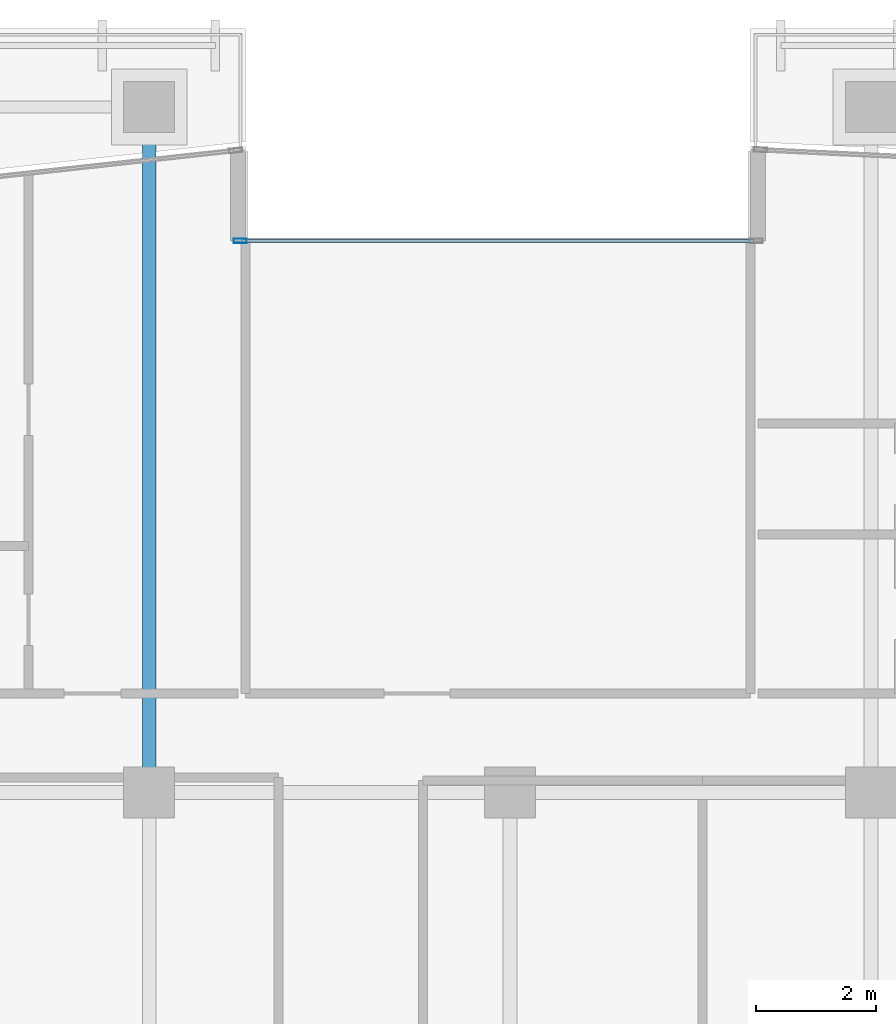
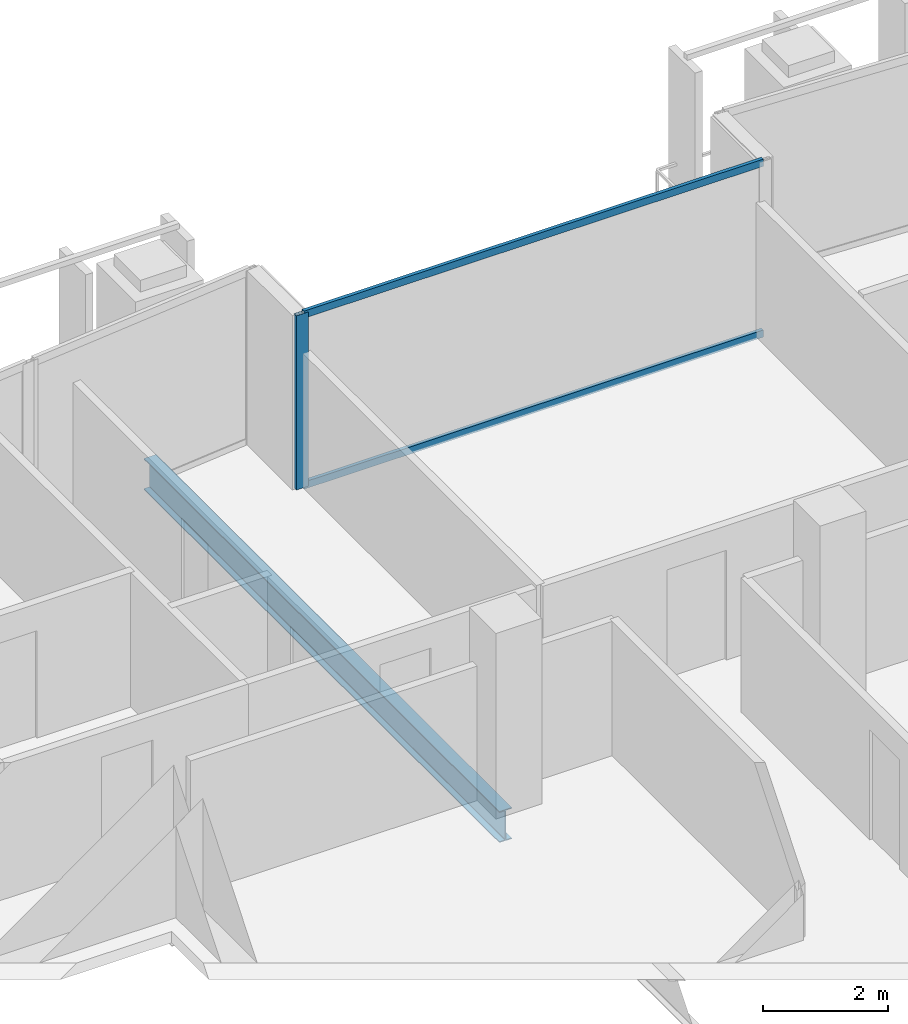
# One storey, part 9 of 28: 3 members, 1 beam, 1 element without a shape of its own.
"""IFC4 building model written with IfcOpenShell, lengths in metres."""

from ifc_helpers import new_model, si_unit, direction, frame, origin, origin_2d, place, context, subcontext, project, spatial, hollow_rectangle, i_section, extrude, material, layer, layer_set, material_profile, profile_set, type_object, element, aggregate, save


model = new_model("IFC4")

# Units and contexts
model_context = context("Model", 3, precision=1e-05, world=origin(), true_north=direction((0.0, 1.0)))
body_context = subcontext(model_context, "Body", "Model", "MODEL_VIEW")
ifc_project = project(units=[si_unit("LENGTHUNIT", "METRE"), si_unit("AREAUNIT", "SQUARE_METRE"), si_unit("VOLUMEUNIT", "CUBIC_METRE"), si_unit("PLANEANGLEUNIT", "RADIAN"), si_unit("MASSUNIT", "GRAM", prefix="KILO")], contexts=[model_context])

# Site, building, storey
site_placement = place(None, origin())
site = spatial("IfcSite", under=ifc_project, at=site_placement, CompositionType="ELEMENT")
building_placement = place(site_placement, origin())
building = spatial("IfcBuilding", under=site, at=building_placement, Name="Tanjung Sevakor Pilgrim Tower", CompositionType="ELEMENT")
storey_placement = place(building_placement, frame((0.0, 0.0, 158.39990234375)))
storey = spatial("IfcBuildingStorey", under=building, at=storey_placement, Name="L44", CompositionType="ELEMENT", Elevation=158.39990234375)

# Beam
ifc_material_1 = material(Name="Steel S355J2", Category="steel")
ifc_material_profile_1 = material_profile(ifc_material_1, i_section(OverallWidth=0.22900390625, OverallDepth=0.6123046875, WebThickness=0.011962890625, FlangeThickness=0.01953125, FilletRadius=0.0126953125, at=origin_2d()))
ifc_profile_set_1 = profile_set([ifc_material_profile_1], Name="Steel S355J2")
beam_type = type_object("IfcBeamType", Name="BM-B-G4-UB_610x229x125", PredefinedType="BEAM", material=ifc_profile_set_1)
beam_placement = place(storey_placement, frame((42.0, 42.60009765625, -0.526123046875), z_axis=(0.0, 1.0, 0.0), x_axis=(-1.0, 0.0, 0.0)))
element("IfcBeam", 1, at=beam_placement, inside=storey, type_object=beam_type, Name="L44 MAIN Girder 009", PredefinedType="BEAM", context=body_context, shape_type="SweptSolid", body=[
    extrude(i_section(OverallWidth=0.22900390625, OverallDepth=0.6123046875, WebThickness=0.011962890625, FlangeThickness=0.01953125, FilletRadius=0.0126953125, at=origin_2d()), origin(), (0.0, 0.0, 1.0), 11.39990234375),
])

# Curtain wall, members
ifc_material_2 = material(Name="Aluminium 6063-T6 and Low-E Glass", Category="aluminium")
ifc_layer = layer(ifc_material_2, 0.179931640625)
ifc_layer_set = layer_set([ifc_layer], Name="CW-SYS-CLEFT")
curtain_wall_type = type_object("IfcCurtainWallType", Name="CW-SYS-CLEFT", PredefinedType="NOTDEFINED", material=ifc_layer_set)
curtain_wall_placement = place(storey_placement, origin())
curtain_wall = element("IfcCurtainWall", 2, at=curtain_wall_placement, inside=storey, type_object=curtain_wall_type, Name="L44 Curtain Wall CW-CLF-L44-25", PredefinedType="NOTDEFINED")
ifc_material_3 = material(Name="Aluminium 6063-T6", Category="aluminium")
ifc_material_profile_2 = material_profile(ifc_material_3, hollow_rectangle(XDim=0.074951171875, YDim=0.219970703125, WallThickness=0.0048828125, at=origin_2d()))
ifc_profile_set_2 = profile_set([ifc_material_profile_2], Name="Aluminium 6063-T6")
member_type_1 = type_object("IfcMemberType", Name="TYPE-CWM-2", PredefinedType="MULLION", material=ifc_profile_set_2)
member_1_placement = place(storey_placement, frame((43.512451171875, 51.77490234375, 0.0), z_axis=(0.0, 0.0, 1.0), x_axis=(0.0, -1.0, 0.0)))
member_1 = element("IfcMember", 3, at=member_1_placement, type_object=member_type_1, Name="CW-CLF mullion 2", PredefinedType="MULLION", context=body_context, shape_type="SweptSolid", body=[
    extrude(hollow_rectangle(XDim=0.074951171875, YDim=0.219970703125, WallThickness=0.0048828125, at=origin_2d()), origin(), (0.0, 0.0, 1.0), 3.41015625),
])
ifc_material_4 = material(Name="Aluminium 6063-T6", Category="aluminium")
ifc_material_profile_3 = material_profile(ifc_material_4, hollow_rectangle(XDim=0.06494140625, YDim=0.139892578125, WallThickness=0.00390625, at=origin_2d()))
ifc_profile_set_3 = profile_set([ifc_material_profile_3], Name="Aluminium 6063-T6")
member_type_2 = type_object("IfcMemberType", Name="TYPE-CWT-1", PredefinedType="USERDEFINED", material=ifc_profile_set_3)
member_2_placement = place(storey_placement, frame((52.050048828125, 51.77490234375, 0.03271484375), z_axis=(-1.0, 0.0, 0.0), x_axis=(0.0, -1.0, 0.0)))
member_2 = element("IfcMember", 4, at=member_2_placement, type_object=member_type_2, Name="CW-CLF transom 1.1", ObjectType="TRANSOM", PredefinedType="USERDEFINED", context=body_context, shape_type="SweptSolid", body=[
    extrude(hollow_rectangle(XDim=0.06494140625, YDim=0.139892578125, WallThickness=0.00390625, at=origin_2d()), origin(), (0.0, 0.0, 1.0), 8.5),
])
member_3_placement = place(storey_placement, frame((52.050048828125, 51.77490234375, 3.377685546875), z_axis=(-1.0, 0.0, 0.0), x_axis=(0.0, -1.0, 0.0)))
member_3 = element("IfcMember", 5, at=member_3_placement, type_object=member_type_2, Name="CW-CLF transom 1.2", ObjectType="TRANSOM", PredefinedType="USERDEFINED", context=body_context, shape_type="SweptSolid", body=[
    extrude(hollow_rectangle(XDim=0.06494140625, YDim=0.139892578125, WallThickness=0.00390625, at=origin_2d()), origin(), (0.0, 0.0, 1.0), 8.5),
])
aggregate(curtain_wall, [member_1, member_2, member_3])

save(model, "model.ifc")
